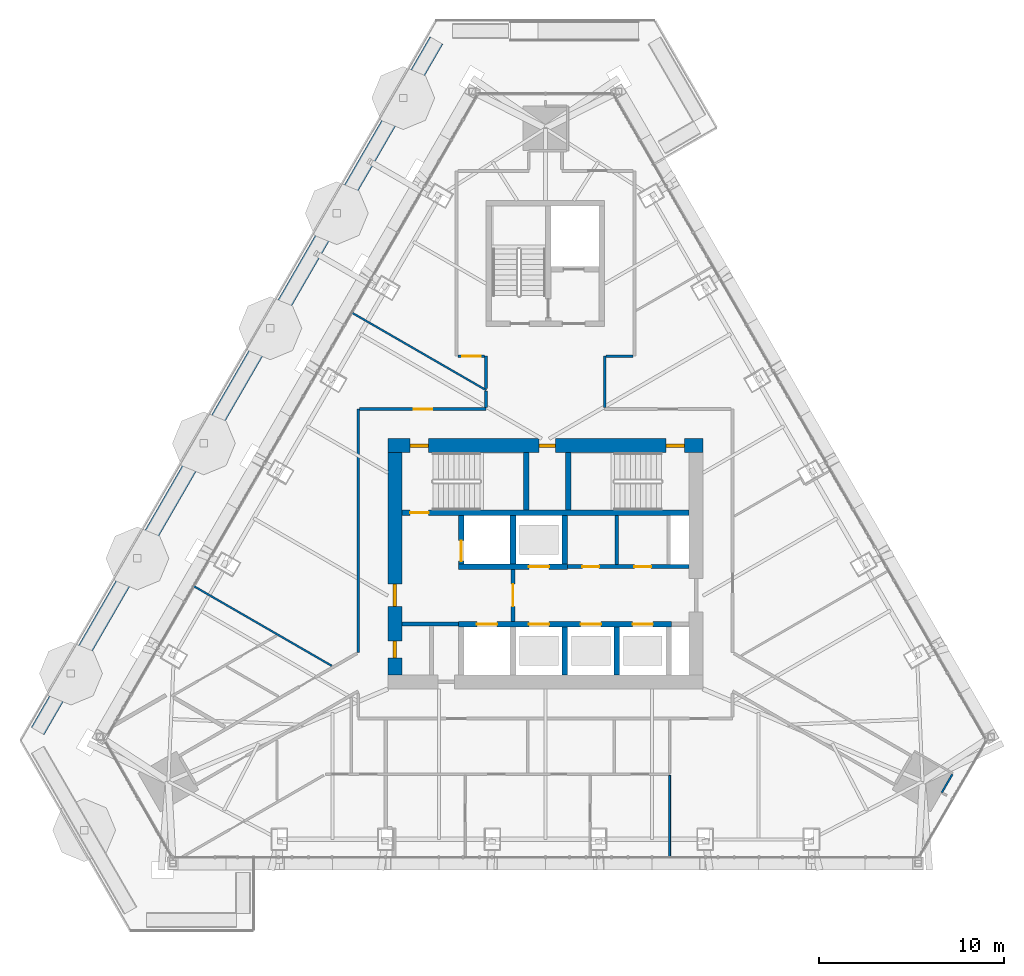
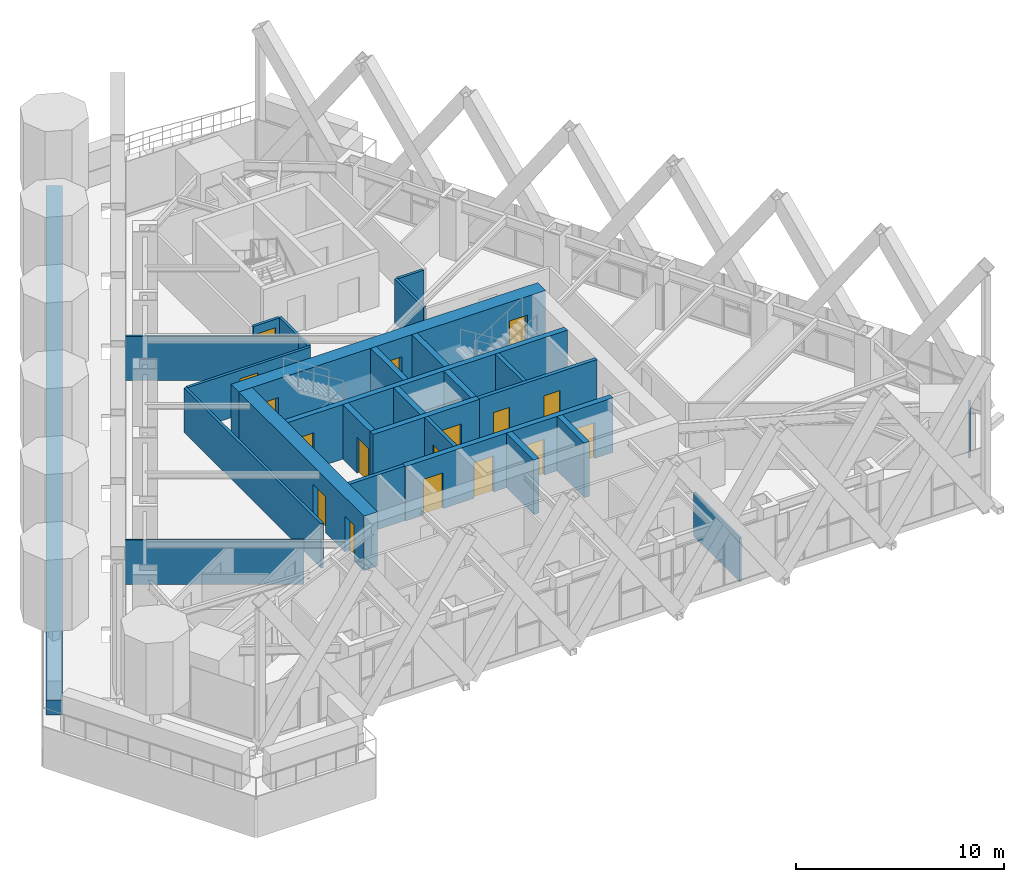
# One storey, part 19 of 24: 28 walls, 17 doors, 17 openings.
"""IFC4 building model written with IfcOpenShell, lengths in metres."""

from ifc_helpers import new_model, si_unit, direction, frame, frame_2d, origin, place, context, subcontext, project, spatial, rectangle, extrude, material, layer, layer_set, type_object, element, fill, save


model = new_model("IFC4")

# Units and contexts
model_context = context("Model", 3, precision=1e-05, world=origin(), true_north=direction((0.0, 1.0)))
body_context = subcontext(model_context, "Body", "Model", "MODEL_VIEW")
ifc_project = project(units=[si_unit("LENGTHUNIT", "METRE"), si_unit("AREAUNIT", "SQUARE_METRE"), si_unit("VOLUMEUNIT", "CUBIC_METRE"), si_unit("PLANEANGLEUNIT", "RADIAN"), si_unit("MASSUNIT", "GRAM", prefix="KILO")], contexts=[model_context])

# Site, building, storey
site_placement = place(None, origin())
site = spatial("IfcSite", under=ifc_project, at=site_placement, CompositionType="ELEMENT")
building_placement = place(site_placement, origin())
building = spatial("IfcBuilding", under=site, at=building_placement, Name="Firuza Gate Tower and Library", CompositionType="ELEMENT")
storey_placement = place(building_placement, frame((0.0, 0.0, 323.10009765625)))
storey = spatial("IfcBuildingStorey", under=building, at=storey_placement, Name="L79", CompositionType="ELEMENT", Elevation=323.10009765625)

# Wall
ifc_material_1 = material(Name="Plasterboard on steel studs", Category="steel")
ifc_layer_1 = layer(ifc_material_1, 0.199951171875)
ifc_layer_set_1 = layer_set([ifc_layer_1], Name="Core partition 200 EI 120")
wall_type_1 = type_object("IfcWallType", Name="Core partition 200 EI 120", PredefinedType="PARTITIONING", material=ifc_layer_set_1)
wall_1_placement = place(storey_placement, frame((67.25, 71.75, 0.0), z_axis=(0.0, 0.0, 1.0), x_axis=(1.0, 0.0, 0.0)))
element("IfcWall", 1, at=wall_1_placement, inside=storey, type_object=wall_type_1, Name="Core partition L79 1", PredefinedType="PARTITIONING", context=body_context, shape_type="SweptSolid", body=[
    extrude(rectangle(XDim=3.050048828125, YDim=0.199951171875, at=frame_2d((1.52490234375, 0.0))), origin(), (0.0, 0.0, 1.0), 3.199951171875),
])

# Wall, openings, doors
wall_2_placement = place(storey_placement, frame((76.199951171875, 74.85009765625, 0.0), z_axis=(0.0, 0.0, 1.0), x_axis=(1.0, 0.0, 0.0)))
wall_2 = element("IfcWall", 2, at=wall_2_placement, inside=storey, type_object=wall_type_1, Name="Core partition L79 3", PredefinedType="PARTITIONING", context=body_context, shape_type="SweptSolid", body=[
    extrude(rectangle(XDim=6.550048828125, YDim=0.199951171875, at=frame_2d((3.27490234375, 0.0))), origin(), (0.0, 0.0, 1.0), 3.199951171875),
])
opening_1_placement = place(wall_2_placement, frame((0.800048828125, 0.0, 0.0)))
opening_1 = element("IfcOpeningElement", 3, at=opening_1_placement, cuts=wall_2, Name="Opening L79-K19", PredefinedType="OPENING", context=body_context, shape_type="SweptSolid", body=[
    extrude(rectangle(XDim=0.89990234375, YDim=2.10009765625, at=frame_2d((0.449951171875, 1.050048828125))), frame((0.0, 0.10986328125, 0.0), z_axis=(0.0, -1.0, 0.0), x_axis=(1.0, 0.0, 0.0)), (0.0, 0.0, 1.0), 0.219970703125),
])
opening_2_placement = place(wall_2_placement, frame((3.60009765625, 0.0, 0.0)))
opening_2 = element("IfcOpeningElement", 4, at=opening_2_placement, cuts=wall_2, Name="Opening L79-K20", PredefinedType="OPENING", context=body_context, shape_type="SweptSolid", body=[
    extrude(rectangle(XDim=0.89990234375, YDim=2.10009765625, at=frame_2d((0.449951171875, 1.050048828125))), frame((0.0, 0.10986328125, 0.0), z_axis=(0.0, -1.0, 0.0), x_axis=(1.0, 0.0, 0.0)), (0.0, 0.0, 1.0), 0.219970703125),
])
ifc_material_2 = material(Name="Steel", Category="steel")
door_type_1 = type_object("IfcDoorType", Name="Fire door 900x2100 FD30S", OperationType="NOTDEFINED", PredefinedType="DOOR", material=ifc_material_2)
door_1_placement = place(opening_1_placement, origin())
door_1 = element("IfcDoor", 5, at=door_1_placement, inside=storey, type_object=door_type_1, Name="Door L79-K19", OperationType="SINGLE_SWING_RIGHT", OverallHeight=2.10009765625, OverallWidth=0.89990234375, PredefinedType="DOOR", context=body_context, shape_type="SweptSolid", body=[
    extrude(rectangle(XDim=0.89990234375, YDim=2.10009765625, at=frame_2d((0.449951171875, 1.050048828125))), frame((0.0, 0.02490234375, 0.0), z_axis=(0.0, -1.0, 0.0), x_axis=(1.0, 0.0, 0.0)), (0.0, 0.0, 1.0), 0.050048828125),
])
fill(opening_1, door_1)
door_2_placement = place(opening_2_placement, origin())
door_2 = element("IfcDoor", 6, at=door_2_placement, inside=storey, type_object=door_type_1, Name="Door L79-K20", OperationType="SINGLE_SWING_LEFT", OverallHeight=2.10009765625, OverallWidth=0.89990234375, PredefinedType="DOOR", context=body_context, shape_type="SweptSolid", body=[
    extrude(rectangle(XDim=0.89990234375, YDim=2.10009765625, at=frame_2d((0.449951171875, 1.050048828125))), frame((0.0, 0.02490234375, 0.0), z_axis=(0.0, -1.0, 0.0), x_axis=(1.0, 0.0, 0.0)), (0.0, 0.0, 1.0), 0.050048828125),
])
fill(opening_2, door_2)

# Wall
wall_3_placement = place(storey_placement, frame((78.85009765625, 74.949951171875, 0.0), z_axis=(0.0, 0.0, 1.0), x_axis=(0.0, 1.0, 0.0)))
element("IfcWall", 7, at=wall_3_placement, inside=storey, type_object=wall_type_1, Name="Core partition L79 6", PredefinedType="PARTITIONING", context=body_context, shape_type="SweptSolid", body=[
    extrude(rectangle(XDim=2.650146484375, YDim=0.199951171875, at=frame_2d((1.3251953125, 0.0))), origin(), (0.0, 0.0, 1.0), 3.199951171875),
])

# Wall, opening, door
ifc_material_3 = material(Name="Plasterboard on steel studs", Category="steel")
ifc_layer_2 = layer(ifc_material_3, 0.199951171875)
ifc_layer_set_2 = layer_set([ifc_layer_2], Name="Core partition 200 EI 60")
wall_type_2 = type_object("IfcWallType", Name="Core partition 200 EI 60", PredefinedType="PARTITIONING", material=ifc_layer_set_2)
wall_4_placement = place(storey_placement, frame((73.25, 71.89990234375, 0.0), z_axis=(0.0, 0.0, 1.0), x_axis=(0.0, 1.0, 0.0)))
wall_4 = element("IfcWall", 8, at=wall_4_placement, inside=storey, type_object=wall_type_2, Name="Core partition L79 5", PredefinedType="PARTITIONING", context=body_context, shape_type="SweptSolid", body=[
    extrude(rectangle(XDim=2.800048828125, YDim=0.199951171875, at=frame_2d((1.39990234375, 0.0))), origin(), (0.0, 0.0, 1.0), 3.199951171875),
])
opening_3_placement = place(wall_4_placement, frame((0.800048828125, 0.0, 0.0)))
opening_3 = element("IfcOpeningElement", 9, at=opening_3_placement, cuts=wall_4, Name="Opening L79-K14", PredefinedType="OPENING", context=body_context, shape_type="SweptSolid", body=[
    extrude(rectangle(XDim=1.199951171875, YDim=2.10009765625, at=frame_2d((0.60009765625, 1.050048828125))), frame((0.0, 0.10986328125, 0.0), z_axis=(0.0, -1.0, 0.0), x_axis=(1.0, 0.0, 0.0)), (0.0, 0.0, 1.0), 0.219970703125),
])
ifc_material_4 = material(Name="Steel", Category="steel")
door_type_2 = type_object("IfcDoorType", Name="Fire door 1200x2100 FD90S", OperationType="NOTDEFINED", PredefinedType="DOOR", material=ifc_material_4)
door_3_placement = place(opening_3_placement, origin())
door_3 = element("IfcDoor", 10, at=door_3_placement, inside=storey, type_object=door_type_2, Name="Door L79-K14", OperationType="SINGLE_SWING_LEFT", OverallHeight=2.10009765625, OverallWidth=1.199951171875, PredefinedType="DOOR", context=body_context, shape_type="SweptSolid", body=[
    extrude(rectangle(XDim=1.199951171875, YDim=2.10009765625, at=frame_2d((0.60009765625, 1.050048828125))), frame((0.0, 0.02490234375, 0.0), z_axis=(0.0, -1.0, 0.0), x_axis=(1.0, 0.0, 0.0)), (0.0, 0.0, 1.0), 0.050048828125),
])
fill(opening_3, door_3)

# Wall, openings, doors
ifc_material_5 = material(Name="Concrete C60/75", Category="concrete")
ifc_layer_3 = layer(ifc_material_5, 0.300048828125)
ifc_layer_set_3 = layer_set([ifc_layer_3], Name="Core wall 300 C60/75")
wall_type_3 = type_object("IfcWallType", Name="Core wall 300 C60/75", PredefinedType="SHEAR", material=ifc_layer_set_3)
wall_5_placement = place(storey_placement, frame((70.300048828125, 71.75, 0.0), z_axis=(0.0, 0.0, 1.0), x_axis=(1.0, 0.0, 0.0)))
wall_5 = element("IfcWall", 11, at=wall_5_placement, inside=storey, type_object=wall_type_3, Name="Core wall L79 5", PredefinedType="SHEAR", context=body_context, shape_type="SweptSolid", body=[
    extrude(rectangle(XDim=11.5, YDim=0.300048828125, at=frame_2d((5.75, 0.0))), origin(), (0.0, 0.0, 1.0), 3.199951171875),
])
opening_4_placement = place(wall_5_placement, frame((1.0, 0.0, 0.0)))
opening_4 = element("IfcOpeningElement", 12, at=opening_4_placement, cuts=wall_5, Name="Opening LD-FF1-L79", PredefinedType="OPENING", context=body_context, shape_type="SweptSolid", body=[
    extrude(rectangle(XDim=1.10009765625, YDim=2.10009765625, at=frame_2d((0.550048828125, 1.050048828125))), frame((0.0, 0.16015625, 0.0), z_axis=(0.0, -1.0, 0.0), x_axis=(1.0, 0.0, 0.0)), (0.0, 0.0, 1.0), 0.320068359375),
])
opening_5_placement = place(wall_5_placement, frame((3.800048828125, 0.0, 0.0)))
opening_5 = element("IfcOpeningElement", 13, at=opening_5_placement, cuts=wall_5, Name="Opening LD-HR1-L79", PredefinedType="OPENING", context=body_context, shape_type="SweptSolid", body=[
    extrude(rectangle(XDim=1.10009765625, YDim=2.10009765625, at=frame_2d((0.550048828125, 1.050048828125))), frame((0.0, 0.16015625, 0.0), z_axis=(0.0, -1.0, 0.0), x_axis=(1.0, 0.0, 0.0)), (0.0, 0.0, 1.0), 0.320068359375),
])
opening_6_placement = place(wall_5_placement, frame((6.60009765625, 0.0, 0.0)))
opening_6 = element("IfcOpeningElement", 14, at=opening_6_placement, cuts=wall_5, Name="Opening LD-HR2-L79", PredefinedType="OPENING", context=body_context, shape_type="SweptSolid", body=[
    extrude(rectangle(XDim=1.10009765625, YDim=2.10009765625, at=frame_2d((0.550048828125, 1.050048828125))), frame((0.0, 0.16015625, 0.0), z_axis=(0.0, -1.0, 0.0), x_axis=(1.0, 0.0, 0.0)), (0.0, 0.0, 1.0), 0.320068359375),
])
opening_7_placement = place(wall_5_placement, frame((9.39990234375, 0.0, 0.0)))
opening_7 = element("IfcOpeningElement", 15, at=opening_7_placement, cuts=wall_5, Name="Opening LD-HR3-L79", PredefinedType="OPENING", context=body_context, shape_type="SweptSolid", body=[
    extrude(rectangle(XDim=1.10009765625, YDim=2.10009765625, at=frame_2d((0.550048828125, 1.050048828125))), frame((0.0, 0.16015625, 0.0), z_axis=(0.0, -1.0, 0.0), x_axis=(1.0, 0.0, 0.0)), (0.0, 0.0, 1.0), 0.320068359375),
])
ifc_material_6 = material(Name="Stainless steel", Category="steel")
door_type_3 = type_object("IfcDoorType", Name="Lift landing door 1100x2100", OperationType="DOUBLE_DOOR_SLIDING", PredefinedType="DOOR", material=ifc_material_6)
door_4_placement = place(opening_4_placement, origin())
door_4 = element("IfcDoor", 16, at=door_4_placement, inside=storey, type_object=door_type_3, Name="Landing door FF1 L79", OperationType="DOUBLE_DOOR_SLIDING", OverallHeight=2.10009765625, OverallWidth=1.10009765625, PredefinedType="DOOR", context=body_context, shape_type="SweptSolid", body=[
    extrude(rectangle(XDim=1.10009765625, YDim=2.10009765625, at=frame_2d((0.550048828125, 1.050048828125))), frame((0.0, 0.02490234375, 0.0), z_axis=(0.0, -1.0, 0.0), x_axis=(1.0, 0.0, 0.0)), (0.0, 0.0, 1.0), 0.050048828125),
])
fill(opening_4, door_4)
door_5_placement = place(opening_5_placement, origin())
door_5 = element("IfcDoor", 17, at=door_5_placement, inside=storey, type_object=door_type_3, Name="Landing door HR1 L79", OperationType="DOUBLE_DOOR_SLIDING", OverallHeight=2.10009765625, OverallWidth=1.10009765625, PredefinedType="DOOR", context=body_context, shape_type="SweptSolid", body=[
    extrude(rectangle(XDim=1.10009765625, YDim=2.10009765625, at=frame_2d((0.550048828125, 1.050048828125))), frame((0.0, 0.02490234375, 0.0), z_axis=(0.0, -1.0, 0.0), x_axis=(1.0, 0.0, 0.0)), (0.0, 0.0, 1.0), 0.050048828125),
])
fill(opening_5, door_5)
door_6_placement = place(opening_6_placement, origin())
door_6 = element("IfcDoor", 18, at=door_6_placement, inside=storey, type_object=door_type_3, Name="Landing door HR2 L79", OperationType="DOUBLE_DOOR_SLIDING", OverallHeight=2.10009765625, OverallWidth=1.10009765625, PredefinedType="DOOR", context=body_context, shape_type="SweptSolid", body=[
    extrude(rectangle(XDim=1.10009765625, YDim=2.10009765625, at=frame_2d((0.550048828125, 1.050048828125))), frame((0.0, 0.02490234375, 0.0), z_axis=(0.0, -1.0, 0.0), x_axis=(1.0, 0.0, 0.0)), (0.0, 0.0, 1.0), 0.050048828125),
])
fill(opening_6, door_6)
door_7_placement = place(opening_7_placement, origin())
door_7 = element("IfcDoor", 19, at=door_7_placement, inside=storey, type_object=door_type_3, Name="Landing door HR3 L79", OperationType="DOUBLE_DOOR_SLIDING", OverallHeight=2.10009765625, OverallWidth=1.10009765625, PredefinedType="DOOR", context=body_context, shape_type="SweptSolid", body=[
    extrude(rectangle(XDim=1.10009765625, YDim=2.10009765625, at=frame_2d((0.550048828125, 1.050048828125))), frame((0.0, 0.02490234375, 0.0), z_axis=(0.0, -1.0, 0.0), x_axis=(1.0, 0.0, 0.0)), (0.0, 0.0, 1.0), 0.050048828125),
])
fill(opening_7, door_7)

# Wall, opening, door
wall_6_placement = place(storey_placement, frame((70.300048828125, 74.85009765625, 0.0), z_axis=(0.0, 0.0, 1.0), x_axis=(1.0, 0.0, 0.0)))
wall_6 = element("IfcWall", 20, at=wall_6_placement, inside=storey, type_object=wall_type_3, Name="Core wall L79 6", PredefinedType="SHEAR", context=body_context, shape_type="SweptSolid", body=[
    extrude(rectangle(XDim=5.89990234375, YDim=0.300048828125, at=frame_2d((2.949951171875, 0.0))), origin(), (0.0, 0.0, 1.0), 3.199951171875),
])
opening_8_placement = place(wall_6_placement, frame((3.800048828125, 0.0, 0.0)))
opening_8 = element("IfcOpeningElement", 21, at=opening_8_placement, cuts=wall_6, Name="Opening LD-HR4-L79", PredefinedType="OPENING", context=body_context, shape_type="SweptSolid", body=[
    extrude(rectangle(XDim=1.10009765625, YDim=2.10009765625, at=frame_2d((0.550048828125, 1.050048828125))), frame((0.0, 0.16015625, 0.0), z_axis=(0.0, -1.0, 0.0), x_axis=(1.0, 0.0, 0.0)), (0.0, 0.0, 1.0), 0.320068359375),
])
door_8_placement = place(opening_8_placement, origin())
door_8 = element("IfcDoor", 22, at=door_8_placement, inside=storey, type_object=door_type_3, Name="Landing door HR4 L79", OperationType="DOUBLE_DOOR_SLIDING", OverallHeight=2.10009765625, OverallWidth=1.10009765625, PredefinedType="DOOR", context=body_context, shape_type="SweptSolid", body=[
    extrude(rectangle(XDim=1.10009765625, YDim=2.10009765625, at=frame_2d((0.550048828125, 1.050048828125))), frame((0.0, 0.02490234375, 0.0), z_axis=(0.0, -1.0, 0.0), x_axis=(1.0, 0.0, 0.0)), (0.0, 0.0, 1.0), 0.050048828125),
])
fill(opening_8, door_8)

wall_7_placement = place(storey_placement, frame((70.449951171875, 75.0, 0.0), z_axis=(0.0, 0.0, 1.0), x_axis=(0.0, 1.0, 0.0)))
wall_7 = element("IfcWall", 23, at=wall_7_placement, inside=storey, type_object=wall_type_3, Name="Core wall L79 8", PredefinedType="SHEAR", context=body_context, shape_type="SweptSolid", body=[
    extrude(rectangle(XDim=2.60009765625, YDim=0.300048828125, at=frame_2d((1.300048828125, 0.0))), origin(), (0.0, 0.0, 1.0), 3.199951171875),
])
opening_9_placement = place(wall_7_placement, frame((0.14990234375, 0.0, 0.0)))
opening_9 = element("IfcOpeningElement", 24, at=opening_9_placement, cuts=wall_7, Name="Opening LD-FF2-L79", PredefinedType="OPENING", context=body_context, shape_type="SweptSolid", body=[
    extrude(rectangle(XDim=1.10009765625, YDim=2.10009765625, at=frame_2d((0.550048828125, 1.050048828125))), frame((0.0, 0.16015625, 0.0), z_axis=(0.0, -1.0, 0.0), x_axis=(1.0, 0.0, 0.0)), (0.0, 0.0, 1.0), 0.320068359375),
])
door_9_placement = place(opening_9_placement, origin())
door_9 = element("IfcDoor", 25, at=door_9_placement, inside=storey, type_object=door_type_3, Name="Landing door FF2 L79", OperationType="DOUBLE_DOOR_SLIDING", OverallHeight=2.10009765625, OverallWidth=1.10009765625, PredefinedType="DOOR", context=body_context, shape_type="SweptSolid", body=[
    extrude(rectangle(XDim=1.10009765625, YDim=2.10009765625, at=frame_2d((0.550048828125, 1.050048828125))), frame((0.0, 0.02490234375, 0.0), z_axis=(0.0, -1.0, 0.0), x_axis=(1.0, 0.0, 0.0)), (0.0, 0.0, 1.0), 0.050048828125),
])
fill(opening_9, door_9)

# Walls
for number, where, z_axis, x_axis, name in (
    (26, (73.25, 75.0, 0.0), (0.0, 0.0, 1.0), (0.0, 1.0, 0.0), "Core wall L79 10"),
    (27, (76.050048828125, 69.0, 0.0), (0.0, 0.0, 1.0), (0.0, 1.0, 0.0), "Core wall L79 11"),
    (28, (76.050048828125, 75.0, 0.0), (0.0, 0.0, 1.0), (0.0, 1.0, 0.0), "Core wall L79 12"),
    (29, (78.85009765625, 69.0, 0.0), (0.0, 0.0, 1.0), (0.0, 1.0, 0.0), "Core wall L79 13"),
):
    element("IfcWall", number, at=place(storey_placement, frame(where, z_axis=z_axis, x_axis=x_axis)), inside=storey, type_object=wall_type_3, Name=name, PredefinedType="SHEAR", context=body_context, shape_type="SweptSolid", body=[
        extrude(rectangle(XDim=2.60009765625, YDim=0.300048828125, at=frame_2d((1.300048828125, 0.0))), origin(), (0.0, 0.0, 1.0), 3.199951171875),
    ])

# Wall, opening, door
wall_8_placement = place(storey_placement, frame((67.25, 77.75, 0.0), z_axis=(0.0, 0.0, 1.0), x_axis=(1.0, 0.0, 0.0)))
wall_8 = element("IfcWall", 30, at=wall_8_placement, inside=storey, type_object=wall_type_3, Name="Core wall L79 15", PredefinedType="SHEAR", context=body_context, shape_type="SweptSolid", body=[
    extrude(rectangle(XDim=15.5, YDim=0.300048828125, at=frame_2d((7.75, 0.0))), origin(), (0.0, 0.0, 1.0), 3.199951171875),
])
opening_10_placement = place(wall_8_placement, frame((0.445068359375, 0.0, 0.0)))
opening_10 = element("IfcOpeningElement", 31, at=opening_10_placement, cuts=wall_8, Name="Opening L79-K08", PredefinedType="OPENING", context=body_context, shape_type="SweptSolid", body=[
    extrude(rectangle(XDim=1.0, YDim=2.10009765625, at=frame_2d((0.5, 1.050048828125))), frame((0.0, 0.16015625, 0.0), z_axis=(0.0, -1.0, 0.0), x_axis=(1.0, 0.0, 0.0)), (0.0, 0.0, 1.0), 0.320068359375),
])
ifc_material_7 = material(Name="Steel", Category="steel")
door_type_4 = type_object("IfcDoorType", Name="Fire door 1000x2100 FD90", OperationType="NOTDEFINED", PredefinedType="DOOR", material=ifc_material_7)
door_10_placement = place(opening_10_placement, origin())
door_10 = element("IfcDoor", 32, at=door_10_placement, inside=storey, type_object=door_type_4, Name="Door L79-K08", OperationType="SINGLE_SWING_LEFT", OverallHeight=2.10009765625, OverallWidth=1.0, PredefinedType="DOOR", context=body_context, shape_type="SweptSolid", body=[
    extrude(rectangle(XDim=1.0, YDim=2.10009765625, at=frame_2d((0.5, 1.050048828125))), frame((0.0, 0.02490234375, 0.0), z_axis=(0.0, -1.0, 0.0), x_axis=(1.0, 0.0, 0.0)), (0.0, 0.0, 1.0), 0.050048828125),
])
fill(opening_10, door_10)

# Walls
for number, where, z_axis, x_axis, name in (
    (33, (73.9599609375, 77.89990234375, 0.0), (0.0, 0.0, 1.0), (0.0, 1.0, 0.0), "Core wall L79 16"),
    (34, (76.239990234375, 77.89990234375, 0.0), (0.0, 0.0, 1.0), (0.0, 1.0, 0.0), "Core wall L79 17"),
):
    element("IfcWall", number, at=place(storey_placement, frame(where, z_axis=z_axis, x_axis=x_axis)), inside=storey, type_object=wall_type_3, Name=name, PredefinedType="SHEAR", context=body_context, shape_type="SweptSolid", body=[
        extrude(rectangle(XDim=3.10009765625, YDim=0.300048828125, at=frame_2d((1.550048828125, 0.0))), origin(), (0.0, 0.0, 1.0), 3.199951171875),
    ])

# Wall, openings, doors
ifc_material_8 = material(Name="Concrete C60/75", Category="concrete")
ifc_layer_4 = layer(ifc_material_8, 0.75)
ifc_layer_set_4 = layer_set([ifc_layer_4], Name="Core wall 750 C60/75")
wall_type_4 = type_object("IfcWallType", Name="Core wall 750 C60/75", PredefinedType="SHEAR", material=ifc_layer_set_4)
wall_9_placement = place(storey_placement, frame((66.5, 81.375, 0.0), z_axis=(0.0, 0.0, 1.0), x_axis=(1.0, 0.0, 0.0)))
wall_9 = element("IfcWall", 35, at=wall_9_placement, inside=storey, type_object=wall_type_4, Name="Core wall L79 2", PredefinedType="SHEAR", context=body_context, shape_type="SweptSolid", body=[
    extrude(rectangle(XDim=17.0, YDim=0.75, at=frame_2d((8.5, 0.0))), origin(), (0.0, 0.0, 1.0), 3.199951171875),
])
opening_11_placement = place(wall_9_placement, frame((1.195068359375, 0.0, 0.0)))
opening_11 = element("IfcOpeningElement", 36, at=opening_11_placement, cuts=wall_9, Name="Opening L79-K09", PredefinedType="OPENING", context=body_context, shape_type="SweptSolid", body=[
    extrude(rectangle(XDim=1.0, YDim=2.10009765625, at=frame_2d((0.5, 1.050048828125))), frame((0.0, 0.385009765625, 0.0), z_axis=(0.0, -1.0, 0.0), x_axis=(1.0, 0.0, 0.0)), (0.0, 0.0, 1.0), 0.77001953125),
])
opening_12_placement = place(wall_9_placement, frame((15.0048828125, 0.0, 0.0)))
opening_12 = element("IfcOpeningElement", 37, at=opening_12_placement, cuts=wall_9, Name="Opening L79-K10", PredefinedType="OPENING", context=body_context, shape_type="SweptSolid", body=[
    extrude(rectangle(XDim=1.0, YDim=2.10009765625, at=frame_2d((0.5, 1.050048828125))), frame((0.0, 0.385009765625, 0.0), z_axis=(0.0, -1.0, 0.0), x_axis=(1.0, 0.0, 0.0)), (0.0, 0.0, 1.0), 0.77001953125),
])
opening_13_placement = place(wall_9_placement, frame((8.14990234375, 0.0, 0.0)))
opening_13 = element("IfcOpeningElement", 38, at=opening_13_placement, cuts=wall_9, Name="Opening L79-K21", PredefinedType="OPENING", context=body_context, shape_type="SweptSolid", body=[
    extrude(rectangle(XDim=0.89990234375, YDim=2.10009765625, at=frame_2d((0.449951171875, 1.050048828125))), frame((0.0, 0.385009765625, 0.0), z_axis=(0.0, -1.0, 0.0), x_axis=(1.0, 0.0, 0.0)), (0.0, 0.0, 1.0), 0.77001953125),
])
door_11_placement = place(opening_11_placement, origin())
door_11 = element("IfcDoor", 39, at=door_11_placement, inside=storey, type_object=door_type_4, Name="Door L79-K09", OperationType="SINGLE_SWING_RIGHT", OverallHeight=2.10009765625, OverallWidth=1.0, PredefinedType="DOOR", context=body_context, shape_type="SweptSolid", body=[
    extrude(rectangle(XDim=1.0, YDim=2.10009765625, at=frame_2d((0.5, 1.050048828125))), frame((0.0, 0.094970703125, 0.0), z_axis=(0.0, -1.0, 0.0), x_axis=(1.0, 0.0, 0.0)), (0.0, 0.0, 1.0), 0.18994140625),
])
fill(opening_11, door_11)
door_12_placement = place(opening_12_placement, origin())
door_12 = element("IfcDoor", 40, at=door_12_placement, inside=storey, type_object=door_type_4, Name="Door L79-K10", OperationType="SINGLE_SWING_LEFT", OverallHeight=2.10009765625, OverallWidth=1.0, PredefinedType="DOOR", context=body_context, shape_type="SweptSolid", body=[
    extrude(rectangle(XDim=1.0, YDim=2.10009765625, at=frame_2d((0.5, 1.050048828125))), frame((0.0, 0.094970703125, 0.0), z_axis=(0.0, -1.0, 0.0), x_axis=(1.0, 0.0, 0.0)), (0.0, 0.0, 1.0), 0.18994140625),
])
fill(opening_12, door_12)
door_13_placement = place(opening_13_placement, origin())
door_13 = element("IfcDoor", 41, at=door_13_placement, inside=storey, type_object=door_type_1, Name="Door L79-K21", OperationType="SINGLE_SWING_RIGHT", OverallHeight=2.10009765625, OverallWidth=0.89990234375, PredefinedType="DOOR", context=body_context, shape_type="SweptSolid", body=[
    extrude(rectangle(XDim=0.89990234375, YDim=2.10009765625, at=frame_2d((0.449951171875, 1.050048828125))), frame((0.0, 0.094970703125, 0.0), z_axis=(0.0, -1.0, 0.0), x_axis=(1.0, 0.0, 0.0)), (0.0, 0.0, 1.0), 0.18994140625),
])
fill(opening_13, door_13)

wall_10_placement = place(storey_placement, frame((66.875, 69.0, 0.0), z_axis=(0.0, 0.0, 1.0), x_axis=(0.0, 1.0, 0.0)))
wall_10 = element("IfcWall", 42, at=wall_10_placement, inside=storey, type_object=wall_type_4, Name="Core wall L79 3", PredefinedType="SHEAR", context=body_context, shape_type="SweptSolid", body=[
    extrude(rectangle(XDim=12.0, YDim=0.75, at=frame_2d((6.0, 0.0))), origin(), (0.0, 0.0, 1.0), 3.199951171875),
])
opening_14_placement = place(wall_10_placement, frame((3.699951171875, 0.0, 0.0)))
opening_14 = element("IfcOpeningElement", 43, at=opening_14_placement, cuts=wall_10, Name="Opening L79-K15", PredefinedType="OPENING", context=body_context, shape_type="SweptSolid", body=[
    extrude(rectangle(XDim=1.199951171875, YDim=2.10009765625, at=frame_2d((0.60009765625, 1.050048828125))), frame((0.0, 0.385009765625, 0.0), z_axis=(0.0, -1.0, 0.0), x_axis=(1.0, 0.0, 0.0)), (0.0, 0.0, 1.0), 0.77001953125),
])
opening_15_placement = place(wall_10_placement, frame((0.925048828125, 0.0, 0.0)))
opening_15 = element("IfcOpeningElement", 44, at=opening_15_placement, cuts=wall_10, Name="Opening L79-K17", PredefinedType="OPENING", context=body_context, shape_type="SweptSolid", body=[
    extrude(rectangle(XDim=0.89990234375, YDim=2.10009765625, at=frame_2d((0.449951171875, 1.050048828125))), frame((0.0, 0.385009765625, 0.0), z_axis=(0.0, -1.0, 0.0), x_axis=(1.0, 0.0, 0.0)), (0.0, 0.0, 1.0), 0.77001953125),
])
door_14_placement = place(opening_14_placement, origin())
door_14 = element("IfcDoor", 45, at=door_14_placement, inside=storey, type_object=door_type_2, Name="Door L79-K15", OperationType="SINGLE_SWING_RIGHT", OverallHeight=2.10009765625, OverallWidth=1.199951171875, PredefinedType="DOOR", context=body_context, shape_type="SweptSolid", body=[
    extrude(rectangle(XDim=1.199951171875, YDim=2.10009765625, at=frame_2d((0.60009765625, 1.050048828125))), frame((0.0, 0.094970703125, 0.0), z_axis=(0.0, -1.0, 0.0), x_axis=(1.0, 0.0, 0.0)), (0.0, 0.0, 1.0), 0.18994140625),
])
fill(opening_14, door_14)
door_15_placement = place(opening_15_placement, origin())
door_15 = element("IfcDoor", 46, at=door_15_placement, inside=storey, type_object=door_type_1, Name="Door L79-K17", OperationType="SINGLE_SWING_RIGHT", OverallHeight=2.10009765625, OverallWidth=0.89990234375, PredefinedType="DOOR", context=body_context, shape_type="SweptSolid", body=[
    extrude(rectangle(XDim=0.89990234375, YDim=2.10009765625, at=frame_2d((0.449951171875, 1.050048828125))), frame((0.0, 0.094970703125, 0.0), z_axis=(0.0, -1.0, 0.0), x_axis=(1.0, 0.0, 0.0)), (0.0, 0.0, 1.0), 0.18994140625),
])
fill(opening_15, door_15)

# Wall, opening, door
ifc_material_9 = material(Name="Gypsum board partition")
ifc_layer_5 = layer(ifc_material_9, 0.14990234375)
ifc_layer_set_5 = layer_set([ifc_layer_5], Name="Corridor wall 150 double board on steel studs")
wall_type_5 = type_object("IfcWallType", Name="Corridor wall 150 double board on steel studs", PredefinedType="PARTITIONING", material=ifc_layer_set_5)
wall_11_placement = place(storey_placement, frame((71.800048828125, 83.35009765625, 0.0), z_axis=(0.0, 0.0, 1.0), x_axis=(-1.0, 0.0, 0.0)))
wall_11 = element("IfcWall", 47, at=wall_11_placement, inside=storey, type_object=wall_type_5, Name="f:L79:w003", PredefinedType="PARTITIONING", context=body_context, shape_type="SweptSolid", body=[
    extrude(rectangle(XDim=6.824462890625, YDim=0.14990234375, at=frame_2d((3.412109375, 0.0))), origin(), (0.0, 0.0, 1.0), 2.599853515625),
])
opening_16_placement = place(wall_11_placement, frame((2.912109375, 0.0, 0.0)))
opening_16 = element("IfcOpeningElement", 48, at=opening_16_placement, cuts=wall_11, Name="Opening L79-08", PredefinedType="OPENING", context=body_context, shape_type="SweptSolid", body=[
    extrude(rectangle(XDim=1.0, YDim=2.10009765625, at=frame_2d((0.5, 1.050048828125))), frame((0.0, 0.0849609375, 0.0), z_axis=(0.0, -1.0, 0.0), x_axis=(1.0, 0.0, 0.0)), (0.0, 0.0, 1.0), 0.169921875),
])
ifc_material_10 = material(Name="Steel door and timber leaf", Category="steel")
door_type_5 = type_object("IfcDoorType", Name="Fire door 1000 x 2100 steel frame, timber leaf", OperationType="NOTDEFINED", PredefinedType="DOOR", material=ifc_material_10)
door_16_placement = place(opening_16_placement, origin())
door_16 = element("IfcDoor", 49, at=door_16_placement, inside=storey, type_object=door_type_5, Name="f:L79:d008", OperationType="SINGLE_SWING_RIGHT", OverallHeight=2.10009765625, OverallWidth=1.0, PredefinedType="DOOR", context=body_context, shape_type="SweptSolid", body=[
    extrude(rectangle(XDim=1.0, YDim=2.10009765625, at=frame_2d((0.5, 1.050048828125))), frame((0.0, 0.02490234375, 0.0), z_axis=(0.0, -1.0, 0.0), x_axis=(1.0, 0.0, 0.0)), (0.0, 0.0, 1.0), 0.050048828125),
])
fill(opening_16, door_16)

wall_12_placement = place(storey_placement, frame((70.275634765625, 86.199951171875, 0.0), z_axis=(0.0, 0.0, 1.0), x_axis=(1.0, 0.0, 0.0)))
wall_12 = element("IfcWall", 50, at=wall_12_placement, inside=storey, type_object=wall_type_5, Name="f:L79:w005", PredefinedType="PARTITIONING", context=body_context, shape_type="SweptSolid", body=[
    extrude(rectangle(XDim=1.449462890625, YDim=0.14990234375, at=frame_2d((0.724609375, 0.0))), origin(), (0.0, 0.0, 1.0), 2.599853515625),
])
opening_17_placement = place(wall_12_placement, frame((0.224609375, 0.0, 0.0)))
opening_17 = element("IfcOpeningElement", 51, at=opening_17_placement, cuts=wall_12, Name="Opening L79-10", PredefinedType="OPENING", context=body_context, shape_type="SweptSolid", body=[
    extrude(rectangle(XDim=1.0, YDim=2.10009765625, at=frame_2d((0.5, 1.050048828125))), frame((0.0, 0.0849609375, 0.0), z_axis=(0.0, -1.0, 0.0), x_axis=(1.0, 0.0, 0.0)), (0.0, 0.0, 1.0), 0.169921875),
])
door_17_placement = place(opening_17_placement, origin())
door_17 = element("IfcDoor", 52, at=door_17_placement, inside=storey, type_object=door_type_5, Name="f:L79:d010", OperationType="SINGLE_SWING_RIGHT", OverallHeight=2.10009765625, OverallWidth=1.0, PredefinedType="DOOR", context=body_context, shape_type="SweptSolid", body=[
    extrude(rectangle(XDim=1.0, YDim=2.10009765625, at=frame_2d((0.5, 1.050048828125))), frame((0.0, 0.02490234375, 0.0), z_axis=(0.0, -1.0, 0.0), x_axis=(1.0, 0.0, 0.0)), (0.0, 0.0, 1.0), 0.050048828125),
])
fill(opening_17, door_17)

# Walls
wall_13_placement = place(storey_placement, frame((78.27490234375, 86.199951171875, 0.0), z_axis=(0.0, 0.0, 1.0), x_axis=(1.0, 0.0, 0.0)))
element("IfcWall", 53, at=wall_13_placement, inside=storey, type_object=wall_type_5, Name="f:L79:w006", PredefinedType="PARTITIONING", context=body_context, shape_type="SweptSolid", body=[
    extrude(rectangle(XDim=1.449462890625, YDim=0.14990234375, at=frame_2d((0.724609375, 0.0))), origin(), (0.0, 0.0, 1.0), 2.599853515625),
])
wall_14_placement = place(storey_placement, frame((78.199951171875, 83.425048828125, 0.0), z_axis=(0.0, 0.0, 1.0), x_axis=(0.0, 1.0, 0.0)))
element("IfcWall", 54, at=wall_14_placement, inside=storey, type_object=wall_type_5, Name="f:L79:w027", PredefinedType="PARTITIONING", context=body_context, shape_type="SweptSolid", body=[
    extrude(rectangle(XDim=2.77490234375, YDim=0.14990234375, at=frame_2d((1.387451171875, 0.0))), origin(), (0.0, 0.0, 1.0), 2.599853515625),
])
wall_15_placement = place(storey_placement, frame((71.800048828125, 83.425048828125, 0.0), z_axis=(0.0, 0.0, 1.0), x_axis=(0.0, 1.0, 0.0)))
element("IfcWall", 55, at=wall_15_placement, inside=storey, type_object=wall_type_5, Name="f:L79:w034", PredefinedType="PARTITIONING", context=body_context, shape_type="SweptSolid", body=[
    extrude(rectangle(XDim=0.901123046875, YDim=0.14990234375, at=frame_2d((0.45068359375, 0.0))), origin(), (0.0, 0.0, 1.0), 2.599853515625),
])
wall_16_placement = place(storey_placement, frame((64.89990234375, 70.2080078125, 0.0), z_axis=(0.0, 0.0, 1.0), x_axis=(0.0, 1.0, 0.0)))
element("IfcWall", 56, at=wall_16_placement, inside=storey, type_object=wall_type_5, Name="f:L79:w040", PredefinedType="PARTITIONING", context=body_context, shape_type="SweptSolid", body=[
    extrude(rectangle(XDim=13.141357421875, YDim=0.14990234375, at=frame_2d((6.57080078125, 0.0))), origin(), (0.0, 0.0, 1.0), 2.599853515625),
])
wall_17_placement = place(storey_placement, frame((71.800048828125, 84.470458984375, 0.0), z_axis=(0.0, 0.0, 1.0), x_axis=(0.0, 1.0, 0.0)))
element("IfcWall", 57, at=wall_17_placement, inside=storey, type_object=wall_type_5, Name="f:L79:w054", PredefinedType="PARTITIONING", context=body_context, shape_type="SweptSolid", body=[
    extrude(rectangle(XDim=1.7294921875, YDim=0.14990234375, at=frame_2d((0.86474609375, 0.0))), origin(), (0.0, 0.0, 1.0), 2.599853515625),
])
ifc_material_11 = material(Name="Gypsum board partition")
ifc_layer_6 = layer(ifc_material_11, 0.10009765625)
ifc_layer_set_6 = layer_set([ifc_layer_6], Name="Partition 100 gypsum board on steel studs")
wall_type_6 = type_object("IfcWallType", Name="Partition 100 gypsum board on steel studs", PredefinedType="PARTITIONING", material=ifc_layer_set_6)
wall_18_placement = place(storey_placement, frame((96.384033203125, 62.654052734375, 0.0), z_axis=(0.0, 0.0, 1.0), x_axis=(0.500022773673, 0.866012254999, 0.0)))
element("IfcWall", 58, at=wall_18_placement, inside=storey, type_object=wall_type_6, Name="f:L79:w020", PredefinedType="PARTITIONING", context=body_context, shape_type="SweptSolid", body=[
    extrude(rectangle(XDim=1.1494140625, YDim=0.10009765625, at=frame_2d((0.57470703125, 0.0))), origin(), (0.0, 0.0, 1.0), 2.599853515625),
])
wall_19_placement = place(storey_placement, frame((81.700927734375, 59.176025390625, 0.0), z_axis=(0.0, 0.0, 1.0), x_axis=(0.0, 1.0, 0.0)))
element("IfcWall", 59, at=wall_19_placement, inside=storey, type_object=wall_type_6, Name="f:L79:w024", PredefinedType="PARTITIONING", context=body_context, shape_type="SweptSolid", body=[
    extrude(rectangle(XDim=4.4140625, YDim=0.10009765625, at=frame_2d((2.20703125, 0.0))), origin(), (0.0, 0.0, 1.0), 2.587890625),
])
wall_20_placement = place(storey_placement, frame((71.800048828125, 84.369384765625, 0.0), z_axis=(0.0, 0.0, 1.0), x_axis=(-0.866026229868, 0.499998569178, 0.0)))
element("IfcWall", 60, at=wall_20_placement, inside=storey, type_object=wall_type_6, Name="f:L79:w045", PredefinedType="PARTITIONING", context=body_context, shape_type="SweptSolid", body=[
    extrude(rectangle(XDim=8.3681640625, YDim=0.10009765625, at=frame_2d((4.18408203125, 0.0))), origin(), (0.0, 0.0, 1.0), 2.587890625),
])
wall_21_placement = place(storey_placement, frame((63.46826171875, 69.497802734375, 0.0), z_axis=(0.0, 0.0, 1.0), x_axis=(-0.866025107759, 0.500000512732, 0.0)))
element("IfcWall", 61, at=wall_21_placement, inside=storey, type_object=wall_type_6, Name="f:L79:w050", PredefinedType="PARTITIONING", context=body_context, shape_type="SweptSolid", body=[
    extrude(rectangle(XDim=8.58837890625, YDim=0.10009765625, at=frame_2d((4.294189453125, 0.0))), origin(), (0.0, 0.0, 1.0), 2.599853515625),
])
ifc_material_12 = material(Name="Concrete C40/50", Category="concrete")
ifc_layer_7 = layer(ifc_material_12, 0.800048828125)
ifc_layer_set_7 = layer_set([ifc_layer_7], Name="Planter wall 800")
wall_type_7 = type_object("IfcWallType", Name="Planter wall 800", PredefinedType="SOLIDWALL", material=ifc_layer_set_7)
wall_22_placement = place(storey_placement, frame((69.116943359375, 103.238037109375, 0.0), z_axis=(0.0, 0.0, 1.0), x_axis=(-0.500001437611, -0.866024573778, 0.0)))
element("IfcWall", 62, at=wall_22_placement, inside=storey, type_object=wall_type_7, Name="PLANTER L79 4", PredefinedType="SOLIDWALL", context=body_context, shape_type="SweptSolid", body=[
    extrude(rectangle(XDim=43.026611328125, YDim=0.800048828125, at=frame_2d((21.51318359375, 0.0))), origin(), (0.0, 0.0, 1.0), 0.89990234375),
])

save(model, "model.ifc")
